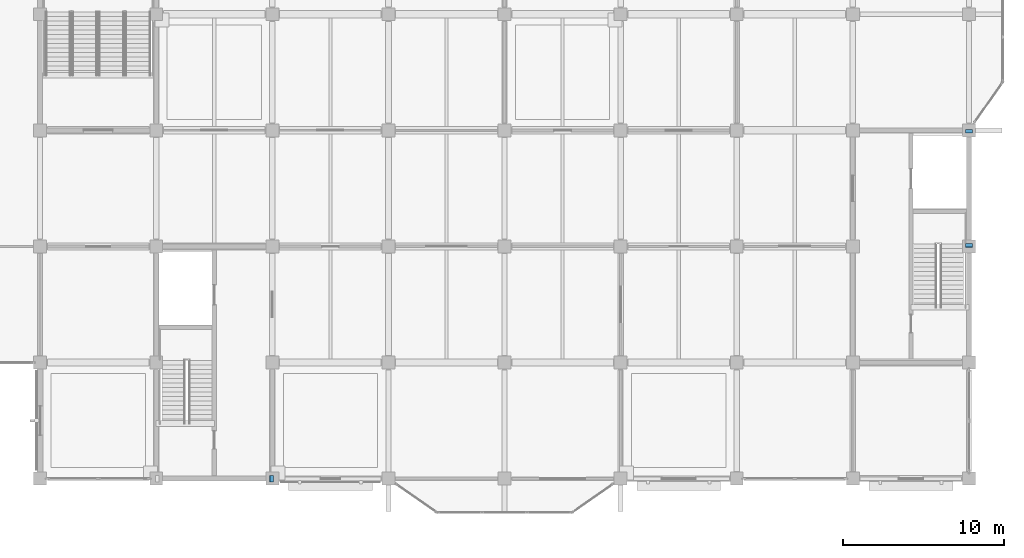
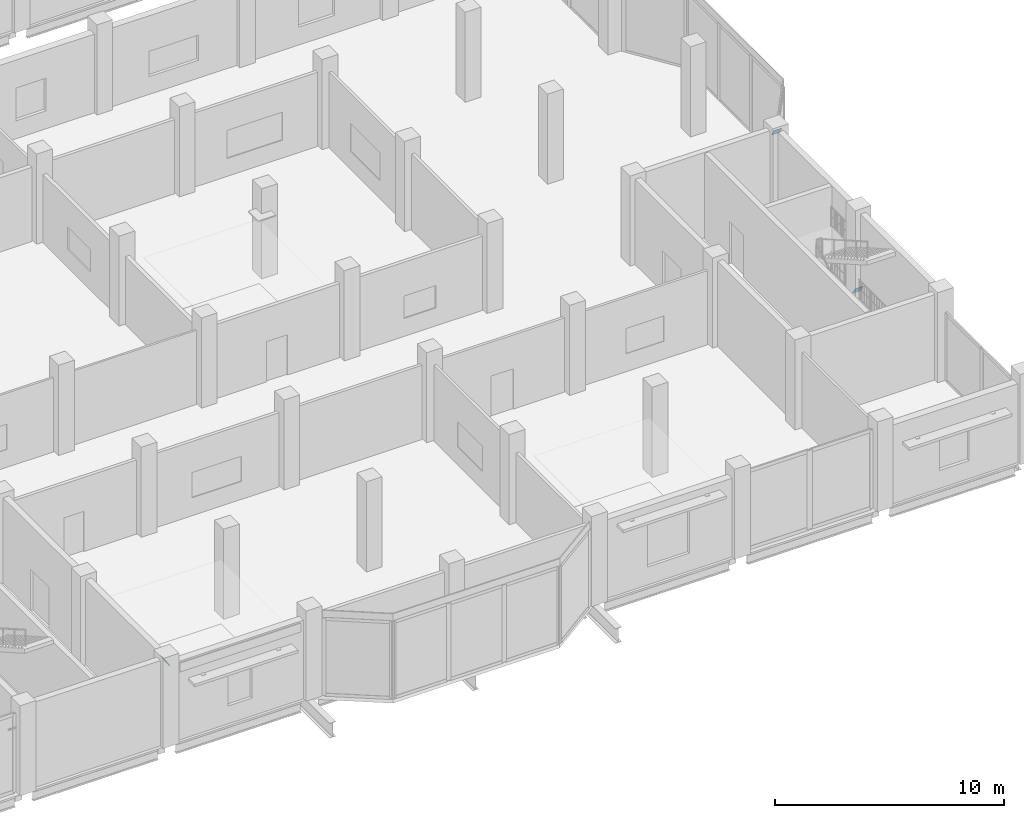
# One storey, part 63 of 99: 3 plates.
"""IFC4 building model written with IfcOpenShell, lengths in metres."""

from ifc_helpers import new_model, si_unit, direction, frame, origin, origin_2d, place, context, subcontext, project, spatial, rectangle, extrude, material, layer, layer_set, type_object, element, save


model = new_model("IFC4")

# Units and contexts
model_context = context("Model", 3, precision=1e-05, world=origin(), true_north=direction((0.0, 1.0)))
body_context = subcontext(model_context, "Body", "Model", "MODEL_VIEW")
ifc_project = project(units=[si_unit("LENGTHUNIT", "METRE"), si_unit("AREAUNIT", "SQUARE_METRE"), si_unit("VOLUMEUNIT", "CUBIC_METRE"), si_unit("PLANEANGLEUNIT", "RADIAN"), si_unit("MASSUNIT", "GRAM", prefix="KILO")], contexts=[model_context])

# Site, building, storey
site_placement = place(None, origin())
site = spatial("IfcSite", under=ifc_project, at=site_placement, CompositionType="ELEMENT")
building_placement = place(site_placement, origin())
building = spatial("IfcBuilding", under=site, at=building_placement, Name="Vesperath Aquatics Centre", CompositionType="ELEMENT")
storey_placement = place(building_placement, frame((0.0, 0.0, 5.39990234375)))
storey = spatial("IfcBuildingStorey", under=building, at=storey_placement, Name="L01", CompositionType="ELEMENT", Elevation=5.39990234375)

# Plates
ifc_material = material(Name="Steel Q355D", Category="steel")
ifc_layer = layer(ifc_material, 0.02392578125)
ifc_layer_set = layer_set([ifc_layer], Name="Steel Q355D")
plate_type = type_object("IfcPlateType", Name="PT-TN04", PredefinedType="SHEET", material=ifc_layer_set)
for number, where, z_axis, x_axis, name in (
    (1, (129.531005859375, 0.0, 4.309814453125), (0.863778900717, 0.0, 0.503871025835), (0.0, 1.0, 0.0), "Truss Node Cap Plate TN04"),
    (2, (172.800048828125, 14.448486328125, 0.17822265625), (0.0, 0.863778900717, 0.503871025835), (-1.0, 0.0, 0.0), "Truss Node Cap Plate TN04"),
    (3, (172.800048828125, 21.531005859375, 4.309814453125), (0.0, 0.863778900717, 0.503871025835), (-1.0, 0.0, 0.0), "Truss Node Cap Plate TN04"),
):
    element("IfcPlate", number, at=place(storey_placement, frame(where, z_axis=z_axis, x_axis=x_axis)), inside=storey, type_object=plate_type, Name=name, PredefinedType="SHEET", context=body_context, shape_type="SweptSolid", body=[
        extrude(rectangle(XDim=0.419921875, YDim=0.419921875, at=origin_2d()), origin(), (0.0, 0.0, 1.0), 0.02392578125),
    ])

save(model, "model.ifc")
